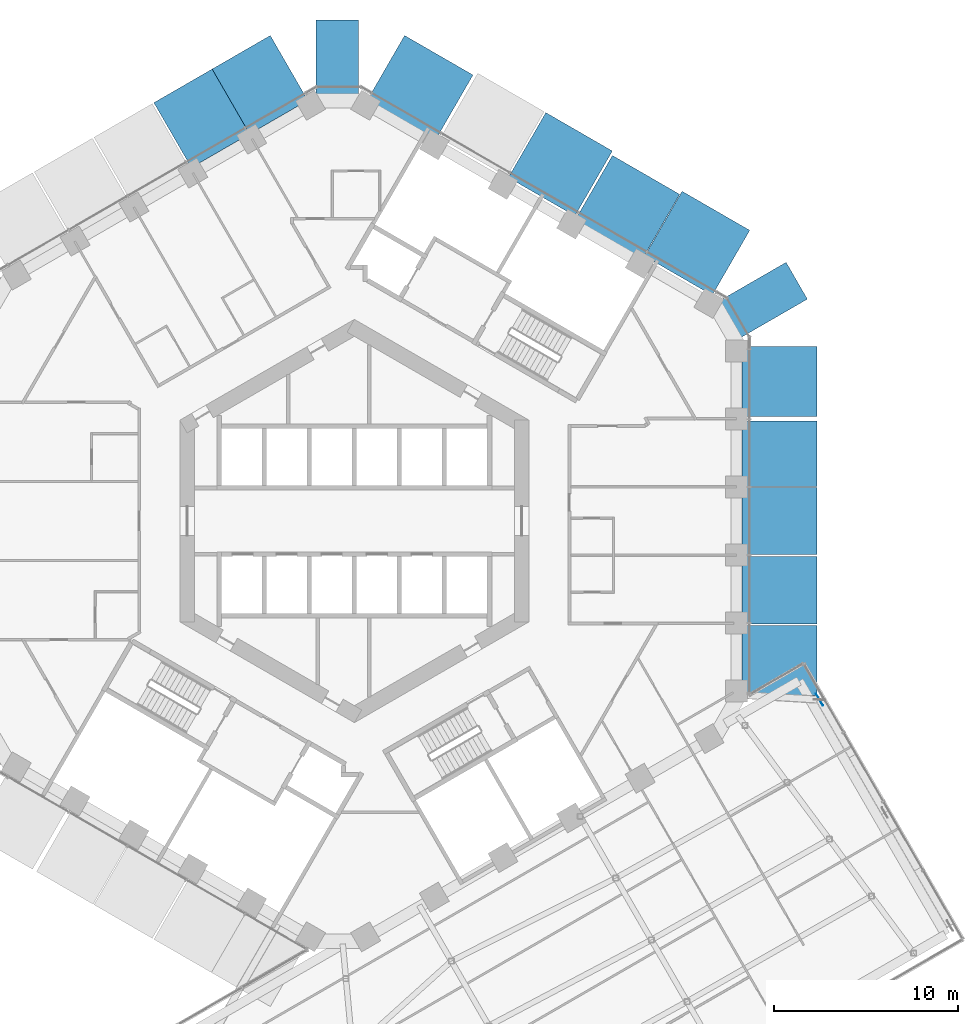
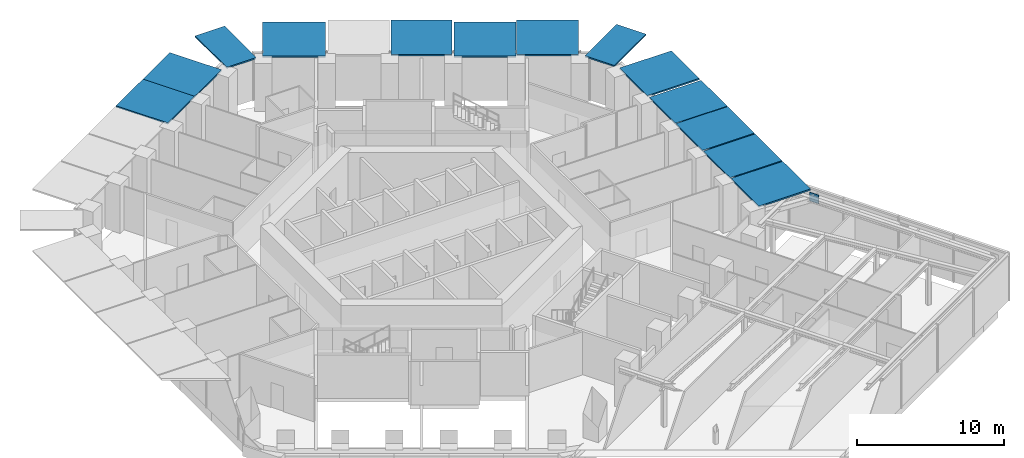
# One storey, part 22 of 28: 14 discrete accessories.
"""IFC4 building model written with IfcOpenShell, lengths in metres."""

from ifc_helpers import new_model, si_unit, direction, frame, origin, origin_2d, place, context, subcontext, project, spatial, rectangle, extrude, material, layer, layer_set, type_object, element, save


model = new_model("IFC4")

# Units and contexts
model_context = context("Model", 3, precision=1e-05, world=origin(), true_north=direction((0.0, 1.0)))
body_context = subcontext(model_context, "Body", "Model", "MODEL_VIEW")
ifc_project = project(units=[si_unit("LENGTHUNIT", "METRE"), si_unit("AREAUNIT", "SQUARE_METRE"), si_unit("VOLUMEUNIT", "CUBIC_METRE"), si_unit("PLANEANGLEUNIT", "RADIAN"), si_unit("MASSUNIT", "GRAM", prefix="KILO")], contexts=[model_context])

# Site, building, storey
site_placement = place(None, origin())
site = spatial("IfcSite", under=ifc_project, at=site_placement, CompositionType="ELEMENT")
building_placement = place(site_placement, origin())
building = spatial("IfcBuilding", under=site, at=building_placement, Name="Ayvan Gate Tower", CompositionType="ELEMENT")
storey_placement = place(building_placement, frame((0.0, 0.0, 74.300048828125)))
storey = spatial("IfcBuildingStorey", under=building, at=storey_placement, Name="L19", CompositionType="ELEMENT", Elevation=74.300048828125)

# Discrete accessories
ifc_material_1 = material(Name="Stainless steel 316", Category="steel")
ifc_layer_1 = layer(ifc_material_1, 0.1201171875)
ifc_layer_set_1 = layer_set([ifc_layer_1], Name="Stainless steel 316")
discrete_accessory_type_1 = type_object("IfcDiscreteAccessoryType", Name="Fin carrier bracket", PredefinedType="BRACKET", material=ifc_layer_set_1)
discrete_accessory_1_placement = place(storey_placement, frame((-8.304443359375, 21.9072265625, 3.8798828125), z_axis=(0.0, 0.0, 1.0), x_axis=(-0.866025403784, -0.5, 0.0)))
element("IfcDiscreteAccessory", 1, at=discrete_accessory_1_placement, inside=storey, type_object=discrete_accessory_type_1, Name="Fin carrier 386", PredefinedType="BRACKET", context=body_context, shape_type="SweptSolid", body=[
    extrude(rectangle(XDim=3.662109375, YDim=4.079345703125, at=origin_2d()), origin(), (0.0, 0.0, 1.0), 0.1201171875),
])
discrete_accessory_2_placement = place(storey_placement, frame((-5.157470703125, 23.723876953125, 3.8798828125), z_axis=(0.0, 0.0, 1.0), x_axis=(-0.866025403784, -0.5, 0.0)))
element("IfcDiscreteAccessory", 2, at=discrete_accessory_2_placement, inside=storey, type_object=discrete_accessory_type_1, Name="Fin carrier 442", PredefinedType="BRACKET", context=body_context, shape_type="SweptSolid", body=[
    extrude(rectangle(XDim=3.700927734375, YDim=4.079345703125, at=origin_2d()), origin(), (0.0, 0.0, 1.0), 0.1201171875),
])
discrete_accessory_3_placement = place(storey_placement, frame((-0.921630859375, 25.103271484375, 3.8798828125), z_axis=(0.0, 0.0, 1.0), x_axis=(-1.0, 0.0, 0.0)))
element("IfcDiscreteAccessory", 3, at=discrete_accessory_3_placement, inside=storey, type_object=discrete_accessory_type_1, Name="Fin carrier 510", PredefinedType="BRACKET", context=body_context, shape_type="SweptSolid", body=[
    extrude(rectangle(XDim=2.314453125, YDim=4.310546875, at=origin_2d()), origin(), (0.0, 0.0, 1.0), 0.1201171875),
])
discrete_accessory_4_placement = place(storey_placement, frame((3.572998046875, 23.574462890625, 3.8798828125), z_axis=(0.0, 0.0, 1.0), x_axis=(-0.866025403784, 0.5, 0.0)))
element("IfcDiscreteAccessory", 4, at=discrete_accessory_4_placement, inside=storey, type_object=discrete_accessory_type_1, Name="Fin carrier 586", PredefinedType="BRACKET", context=body_context, shape_type="SweptSolid", body=[
    extrude(rectangle(XDim=4.29833984375, YDim=4.079345703125, at=origin_2d()), origin(), (0.0, 0.0, 1.0), 0.1201171875),
])
discrete_accessory_5_placement = place(storey_placement, frame((11.206298828125, 19.409423828125, 3.8798828125), z_axis=(0.0, 0.0, 1.0), x_axis=(-0.866025403784, 0.5, 0.0)))
element("IfcDiscreteAccessory", 5, at=discrete_accessory_5_placement, inside=storey, type_object=discrete_accessory_type_1, Name="Fin carrier 717", PredefinedType="BRACKET", context=body_context, shape_type="SweptSolid", body=[
    extrude(rectangle(XDim=4.179931640625, YDim=4.079345703125, at=origin_2d()), origin(), (0.0, 0.0, 1.0), 0.1201171875),
])
discrete_accessory_6_placement = place(storey_placement, frame((14.85009765625, 17.063720703125, 3.8798828125), z_axis=(0.0, 0.0, 1.0), x_axis=(-0.866025403784, 0.5, 0.0)))
element("IfcDiscreteAccessory", 6, at=discrete_accessory_6_placement, inside=storey, type_object=discrete_accessory_type_1, Name="Fin carrier 773", PredefinedType="BRACKET", context=body_context, shape_type="SweptSolid", body=[
    extrude(rectangle(XDim=4.22900390625, YDim=4.079345703125, at=origin_2d()), origin(), (0.0, 0.0, 1.0), 0.1201171875),
])
discrete_accessory_7_placement = place(storey_placement, frame((18.64990234375, 15.11181640625, 3.8798828125), z_axis=(0.0, 0.0, 1.0), x_axis=(-0.866025403784, 0.5, 0.0)))
element("IfcDiscreteAccessory", 7, at=discrete_accessory_7_placement, inside=storey, type_object=discrete_accessory_type_1, Name="Fin carrier 907", PredefinedType="BRACKET", context=body_context, shape_type="SweptSolid", body=[
    extrude(rectangle(XDim=4.251953125, YDim=4.079345703125, at=origin_2d()), origin(), (0.0, 0.0, 1.0), 0.1201171875),
])
discrete_accessory_8_placement = place(storey_placement, frame((22.200927734375, 11.995361328125, 3.8798828125), z_axis=(0.0, 0.0, 1.0), x_axis=(-0.5, 0.866025403784, 0.0)))
element("IfcDiscreteAccessory", 8, at=discrete_accessory_8_placement, inside=storey, type_object=discrete_accessory_type_1, Name="Fin carrier 994", PredefinedType="BRACKET", context=body_context, shape_type="SweptSolid", body=[
    extrude(rectangle(XDim=2.314453125, YDim=4.310546875, at=origin_2d()), origin(), (0.0, 0.0, 1.0), 0.1201171875),
])
discrete_accessory_9_placement = place(storey_placement, frame((23.124267578125, -7.59033203125, 3.8798828125), z_axis=(0.0, 0.0, 1.0), x_axis=(0.0, 1.0, 0.0)))
element("IfcDiscreteAccessory", 9, at=discrete_accessory_9_placement, inside=storey, type_object=discrete_accessory_type_1, Name="Fin carrier 1004", PredefinedType="BRACKET", context=body_context, shape_type="SweptSolid", body=[
    extrude(rectangle(XDim=3.794921875, YDim=4.079345703125, at=origin_2d()), origin(), (0.0, 0.0, 1.0), 0.1201171875),
])
for number, where, z_axis, x_axis, name in (
    (10, (23.124267578125, -3.76171875, 3.8798828125), (0.0, 0.0, 1.0), (0.0, 1.0, 0.0), "Fin carrier 1010"),
    (11, (23.124267578125, 0.000244140625, 3.8798828125), (0.0, 0.0, 1.0), (0.0, 1.0, 0.0), "Fin carrier 1016"),
):
    element("IfcDiscreteAccessory", number, at=place(storey_placement, frame(where, z_axis=z_axis, x_axis=x_axis)), inside=storey, type_object=discrete_accessory_type_1, Name=name, PredefinedType="BRACKET", context=body_context, shape_type="SweptSolid", body=[
        extrude(rectangle(XDim=3.662109375, YDim=4.079345703125, at=origin_2d()), origin(), (0.0, 0.0, 1.0), 0.1201171875),
    ])
discrete_accessory_10_placement = place(storey_placement, frame((23.124267578125, 3.66357421875, 3.8798828125), z_axis=(0.0, 0.0, 1.0), x_axis=(0.0, 1.0, 0.0)))
element("IfcDiscreteAccessory", 12, at=discrete_accessory_10_placement, inside=storey, type_object=discrete_accessory_type_1, Name="Fin carrier 1017", PredefinedType="BRACKET", context=body_context, shape_type="SweptSolid", body=[
    extrude(rectangle(XDim=3.56298828125, YDim=4.079345703125, at=origin_2d()), origin(), (0.0, 0.0, 1.0), 0.1201171875),
])
discrete_accessory_11_placement = place(storey_placement, frame((23.124267578125, 7.590576171875, 3.8798828125), z_axis=(0.0, 0.0, 1.0), x_axis=(0.0, 1.0, 0.0)))
element("IfcDiscreteAccessory", 13, at=discrete_accessory_11_placement, inside=storey, type_object=discrete_accessory_type_1, Name="Fin carrier 1024", PredefinedType="BRACKET", context=body_context, shape_type="SweptSolid", body=[
    extrude(rectangle(XDim=3.79443359375, YDim=4.079345703125, at=origin_2d()), origin(), (0.0, 0.0, 1.0), 0.1201171875),
])
ifc_material_2 = material(Name="Steel S460ML", Category="steel")
ifc_layer_2 = layer(ifc_material_2, 0.034912109375)
ifc_layer_set_2 = layer_set([ifc_layer_2], Name="Steel S460ML")
discrete_accessory_type_2 = type_object("IfcDiscreteAccessoryType", Name="Gusset plate 35 mm", PredefinedType="BRACKET", material=ifc_layer_set_2)
discrete_accessory_12_placement = place(storey_placement, frame((25.306396484375, -9.7216796875, 2.98193359375), z_axis=(0.0, 0.0, 1.0), x_axis=(-0.5, 0.866025403784, 0.0)))
element("IfcDiscreteAccessory", 14, at=discrete_accessory_12_placement, inside=storey, type_object=discrete_accessory_type_2, Name="Gusset plate SBX1-A-D-2", PredefinedType="BRACKET", context=body_context, shape_type="SweptSolid", body=[
    extrude(rectangle(XDim=0.736083984375, YDim=0.034912109375, at=origin_2d()), origin(), (0.0, 0.0, 1.0), 0.736083984375),
])

save(model, "model.ifc")
